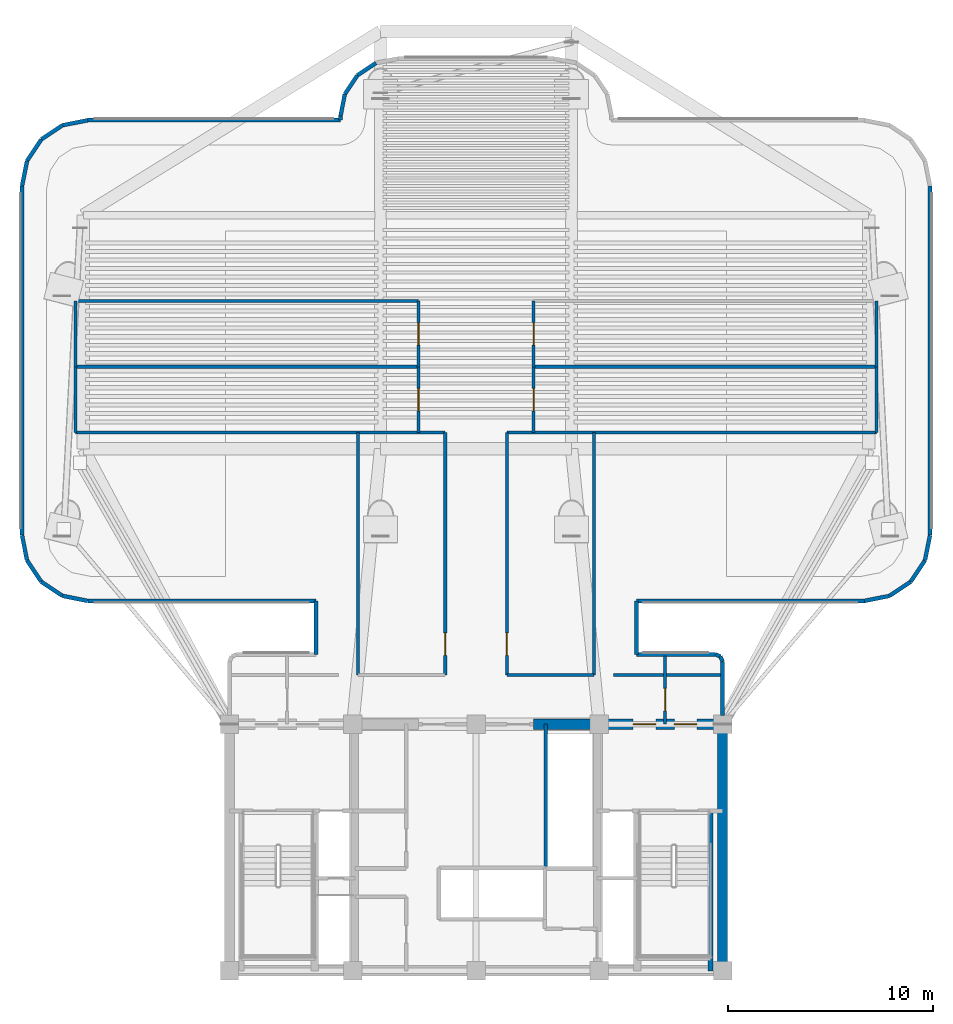
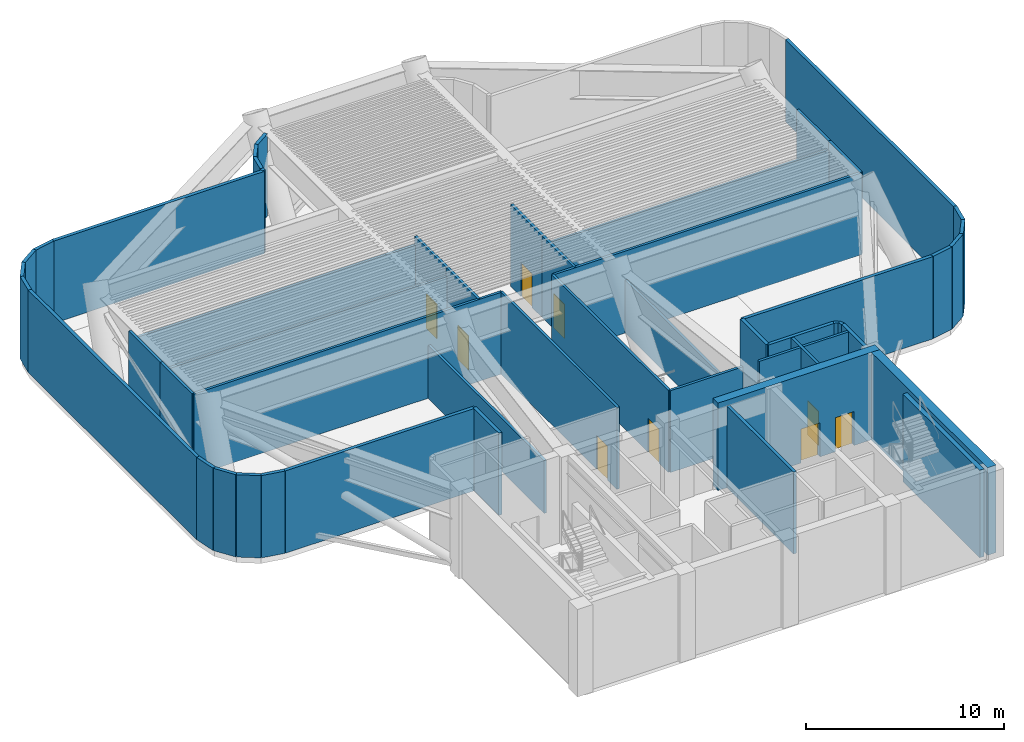
# One storey, part 5 of 10: 51 walls, 9 doors, 9 openings.
"""IFC4 building model written with IfcOpenShell, lengths in metres."""

from ifc_helpers import new_model, si_unit, direction, frame, frame_2d, origin, origin_2d, place, context, subcontext, project, spatial, rectangle, extrude, source, transform, mapped, material, layer, layer_set, type_object, element, fill, save


model = new_model("IFC4")

# Units and contexts
model_context = context("Model", 3, precision=1e-05, world=origin(), true_north=direction((0.0, 1.0)))
body_context = subcontext(model_context, "Body", "Model", "MODEL_VIEW")
ifc_project = project(units=[si_unit("LENGTHUNIT", "METRE"), si_unit("AREAUNIT", "SQUARE_METRE"), si_unit("VOLUMEUNIT", "CUBIC_METRE"), si_unit("PLANEANGLEUNIT", "RADIAN"), si_unit("MASSUNIT", "GRAM", prefix="KILO")], contexts=[model_context])

# Site, building, storey
site_placement = place(None, origin())
site = spatial("IfcSite", under=ifc_project, at=site_placement, CompositionType="ELEMENT")
building_placement = place(site_placement, origin())
building = spatial("IfcBuilding", under=site, at=building_placement, Name="Brelvock Crest Care Tower", CompositionType="ELEMENT")
storey_placement = place(building_placement, frame((0.0, 0.0, 146.52001953125)))
storey = spatial("IfcBuildingStorey", under=building, at=storey_placement, Name="L37", CompositionType="ELEMENT", Elevation=146.52001953125)

# Wall
ifc_material_1 = material(Name="Concrete S80 (80 MPa)", Category="concrete")
ifc_layer_1 = layer(ifc_material_1, 0.5, Name="WL-CS2")
ifc_layer_set_1 = layer_set([ifc_layer_1], Name="Concrete S80 (80 MPa)")
wall_type_1 = type_object("IfcWallType", Name="WL-CS2", PredefinedType="SHEAR", material=ifc_layer_set_1)
wall_1_placement = place(storey_placement, frame((48.0, 18.0, 0.0), z_axis=(0.0, 0.0, 1.0), x_axis=(0.0, -1.0, 0.0)))
element("IfcWall", 1, at=wall_1_placement, inside=storey, type_object=wall_type_1, Name="L37 Core East Shear Wall", PredefinedType="SHEAR", context=body_context, shape_type="SweptSolid", body=[
    extrude(rectangle(XDim=12.0, YDim=0.5, at=frame_2d((6.0, 0.0))), origin(), (0.0, 0.0, 1.0), 5.39990234375),
])

# Wall, openings, doors
wall_2_placement = place(storey_placement, frame((38.800048828125, 18.0, 0.0), z_axis=(0.0, 0.0, 1.0), x_axis=(1.0, 0.0, 0.0)))
wall_2 = element("IfcWall", 2, at=wall_2_placement, inside=storey, type_object=wall_type_1, Name="L37 Core North-East Shear Wall", PredefinedType="SHEAR", context=body_context, shape_type="SweptSolid", body=[
    extrude(rectangle(XDim=9.449951171875, YDim=0.5, at=frame_2d((4.72509765625, 0.0))), origin(), (0.0, 0.0, 1.0), 5.39990234375),
])
opening_1_placement = place(wall_2_placement, frame((4.85009765625, 0.0, 0.0)))
opening_1 = element("IfcOpeningElement", 3, at=opening_1_placement, cuts=wall_2, Name="Opening FD-1", PredefinedType="OPENING", context=body_context, shape_type="SweptSolid", body=[
    extrude(rectangle(XDim=1.10009765625, YDim=2.10009765625, at=origin_2d()), frame((0.550048828125, 0.260009765625, 1.050048828125), z_axis=(0.0, -1.0, 0.0), x_axis=(1.0, 0.0, 0.0)), (0.0, 0.0, 1.0), 0.52001953125),
])
opening_2_placement = place(wall_2_placement, frame((6.85009765625, 0.0, 0.0)))
opening_2 = element("IfcOpeningElement", 4, at=opening_2_placement, cuts=wall_2, Name="Opening FD-1", PredefinedType="OPENING", context=body_context, shape_type="SweptSolid", body=[
    extrude(rectangle(XDim=1.10009765625, YDim=2.10009765625, at=origin_2d()), frame((0.550048828125, 0.260009765625, 1.050048828125), z_axis=(0.0, -1.0, 0.0), x_axis=(1.0, 0.0, 0.0)), (0.0, 0.0, 1.0), 0.52001953125),
])
ifc_material_2 = material(Name="Steel Grade 350", Category="steel")
door_type_1 = type_object("IfcDoorType", Name="DR-FFL1", OperationType="NOTDEFINED", PredefinedType="DOOR", material=ifc_material_2)
shared_shape_1 = source(origin(), body_context, "Body", "SweptSolid", [
    extrude(rectangle(XDim=1.10009765625, YDim=2.10009765625, at=origin_2d()), frame((0.550048828125, 0.02490234375, 1.050048828125), z_axis=(0.0, -1.0, 0.0), x_axis=(1.0, 0.0, 0.0)), (0.0, 0.0, 1.0), 0.050048828125),
])
door_1_placement = place(opening_1_placement, origin())
door_1 = element("IfcDoor", 5, at=door_1_placement, inside=storey, type_object=door_type_1, Name="L37 Firefighting Lobby FFL-2 Corridor Exit Door", OperationType="SINGLE_SWING_LEFT", OverallHeight=2.10009765625, OverallWidth=1.10009765625, PredefinedType="DOOR", context=body_context, shape_type="MappedRepresentation", body=[
    mapped(shared_shape_1, transform((0.0, 0.0, 0.0), x_axis=(1.0, 0.0, 0.0), y_axis=(0.0, 1.0, 0.0), z_axis=(0.0, 0.0, 1.0), scale=1.0)),
])
fill(opening_1, door_1)
door_2_placement = place(opening_2_placement, origin())
door_2 = element("IfcDoor", 6, at=door_2_placement, inside=storey, type_object=door_type_1, Name="L37 Firefighting Lobby FFL-2 Refuge Door", OperationType="SINGLE_SWING_RIGHT", OverallHeight=2.10009765625, OverallWidth=1.10009765625, PredefinedType="DOOR", context=body_context, shape_type="MappedRepresentation", body=[
    mapped(shared_shape_1, transform((0.0, 0.0, 0.0), x_axis=(1.0, 0.0, 0.0), y_axis=(0.0, 1.0, 0.0), z_axis=(0.0, 0.0, 1.0), scale=1.0)),
])
fill(opening_2, door_2)

# Walls
ifc_layer_2 = layer(ifc_material_1, 0.25, Name="WL-CS6")
ifc_layer_set_2 = layer_set([ifc_layer_2], Name="Concrete S80 (80 MPa)")
wall_type_2 = type_object("IfcWallType", Name="WL-CS6", PredefinedType="SHEAR", material=ifc_layer_set_2)
wall_3_placement = place(storey_placement, frame((47.419921875, 6.0, 0.0), z_axis=(0.0, 0.0, 1.0), x_axis=(0.0, 1.0, 0.0)))
element("IfcWall", 7, at=wall_3_placement, inside=storey, type_object=wall_type_2, Name="L37 Core Stair ST-2 East Shear Wall", PredefinedType="SHEAR", context=body_context, shape_type="SweptSolid", body=[
    extrude(rectangle(XDim=7.780029296875, YDim=0.25, at=frame_2d((3.89013671875, 0.0))), origin(), (0.0, 0.0, 1.0), 5.39990234375),
])
ifc_material_3 = material(Name="Precast concrete N40 (40 MPa)", Category="concrete")
ifc_layer_3 = layer(ifc_material_3, 0.195068359375, Name="WL-EX3")
ifc_layer_set_3 = layer_set([ifc_layer_3], Name="Precast concrete N40 (40 MPa)")
wall_type_3 = type_object("IfcWallType", Name="WL-EX3", PredefinedType="SOLIDWALL", material=ifc_layer_set_3)
wall_4_placement = place(storey_placement, frame((47.8974609375, 21.297607421875, 0.0), z_axis=(0.0, 0.0, 1.0), x_axis=(0.382673670509, -0.923883575944, 0.0)))
element("IfcWall", 8, at=wall_4_placement, inside=storey, type_object=wall_type_3, Name="L37 Crown and Plant Cladding Wall 00", PredefinedType="SOLIDWALL", context=body_context, shape_type="SweptSolid", body=[
    extrude(rectangle(XDim=0.26806640625, YDim=0.195068359375, at=frame_2d((0.134033203125, 0.0))), origin(), (0.0, 0.0, 1.0), 5.080078125),
])
wall_5_placement = place(storey_placement, frame((48.0, 21.050048828125, 0.0), z_axis=(0.0, 0.0, 1.0), x_axis=(0.0, -1.0, 0.0)))
element("IfcWall", 9, at=wall_5_placement, inside=storey, type_object=wall_type_3, Name="L37 Crown and Plant Cladding Wall 01", PredefinedType="SOLIDWALL", context=body_context, shape_type="SweptSolid", body=[
    extrude(rectangle(XDim=2.6201171875, YDim=0.195068359375, at=frame_2d((1.31005859375, 0.0))), origin(), (0.0, 0.0, 1.0), 5.080078125),
])
wall_6_placement = place(storey_placement, frame((28.199951171875, 21.39990234375, 0.0), z_axis=(0.0, 0.0, 1.0), x_axis=(0.0, 1.0, 0.0)))
element("IfcWall", 10, at=wall_6_placement, inside=storey, type_object=wall_type_3, Name="L37 Crown and Plant Cladding Wall 11", PredefinedType="SOLIDWALL", context=body_context, shape_type="SweptSolid", body=[
    extrude(rectangle(XDim=2.60009765625, YDim=0.195068359375, at=frame_2d((1.300048828125, 0.0))), origin(), (0.0, 0.0, 1.0), 5.080078125),
])
wall_7_placement = place(storey_placement, frame((28.199951171875, 24.0, 0.0), z_axis=(0.0, 0.0, 1.0), x_axis=(-1.0, 0.0, 0.0)))
element("IfcWall", 11, at=wall_7_placement, inside=storey, type_object=wall_type_3, Name="L37 Crown and Plant Cladding Wall 12", PredefinedType="SOLIDWALL", context=body_context, shape_type="SweptSolid", body=[
    extrude(rectangle(XDim=11.099853515625, YDim=0.195068359375, at=frame_2d((5.5498046875, 0.0))), origin(), (0.0, 0.0, 1.0), 5.080078125),
])
for number, where, z_axis, x_axis, name in (
    (12, (17.10009765625, 24.0, 0.0), (0.0, 0.0, 1.0), (-0.980775717779, 0.195138390419, 0.0), "L37 Crown and Plant Cladding Wall 13"),
    (13, (15.87548828125, 24.24365234375, 0.0), (0.0, 0.0, 1.0), (-0.831478245117, 0.555557312883, 0.0), "L37 Crown and Plant Cladding Wall 14"),
    (14, (14.83740234375, 24.937255859375, 0.0), (0.0, 0.0, 1.0), (-0.555692485475, 0.831387912822, 0.0), "L37 Crown and Plant Cladding Wall 15"),
    (15, (14.1435546875, 25.975341796875, 0.0), (0.0, 0.0, 1.0), (-0.195138390419, 0.980775717779, 0.0), "L37 Crown and Plant Cladding Wall 16"),
):
    element("IfcWall", number, at=place(storey_placement, frame(where, z_axis=z_axis, x_axis=x_axis)), inside=storey, type_object=wall_type_3, Name=name, PredefinedType="SOLIDWALL", context=body_context, shape_type="SweptSolid", body=[
        extrude(rectangle(XDim=1.24853515625, YDim=0.195068359375, at=frame_2d((0.624267578125, 0.0))), origin(), (0.0, 0.0, 1.0), 5.080078125),
    ])
wall_8_placement = place(storey_placement, frame((13.89990234375, 27.199951171875, 0.0), z_axis=(0.0, 0.0, 1.0), x_axis=(0.0, 1.0, 0.0)))
element("IfcWall", 16, at=wall_8_placement, inside=storey, type_object=wall_type_3, Name="L37 Crown and Plant Cladding Wall 17", PredefinedType="SOLIDWALL", context=body_context, shape_type="SweptSolid", body=[
    extrude(rectangle(XDim=17.0, YDim=0.195068359375, at=frame_2d((8.5, 0.0))), origin(), (0.0, 0.0, 1.0), 5.080078125),
])
for number, where, z_axis, x_axis, name in (
    (17, (13.89990234375, 44.199951171875, 0.0), (0.0, 0.0, 1.0), (0.195138390419, 0.980775717779, 0.0), "L37 Crown and Plant Cladding Wall 18"),
    (18, (14.1435546875, 45.424560546875, 0.0), (0.0, 0.0, 1.0), (0.555692485475, 0.831387912822, 0.0), "L37 Crown and Plant Cladding Wall 19"),
    (19, (14.83740234375, 46.462646484375, 0.0), (0.0, 0.0, 1.0), (0.831387912822, 0.555692485475, 0.0), "L37 Crown and Plant Cladding Wall 20"),
    (20, (15.87548828125, 47.156494140625, 0.0), (0.0, 0.0, 1.0), (0.980813122964, 0.194950295773, 0.0), "L37 Crown and Plant Cladding Wall 21"),
):
    element("IfcWall", number, at=place(storey_placement, frame(where, z_axis=z_axis, x_axis=x_axis)), inside=storey, type_object=wall_type_3, Name=name, PredefinedType="SOLIDWALL", context=body_context, shape_type="SweptSolid", body=[
        extrude(rectangle(XDim=1.24853515625, YDim=0.195068359375, at=frame_2d((0.624267578125, 0.0))), origin(), (0.0, 0.0, 1.0), 5.080078125),
    ])
wall_9_placement = place(storey_placement, frame((17.10009765625, 47.39990234375, 0.0), z_axis=(0.0, 0.0, 1.0), x_axis=(1.0, 0.0, 0.0)))
element("IfcWall", 21, at=wall_9_placement, inside=storey, type_object=wall_type_3, Name="L37 Crown and Plant Cladding Wall 22", PredefinedType="SOLIDWALL", context=body_context, shape_type="SweptSolid", body=[
    extrude(rectangle(XDim=12.2998046875, YDim=0.195068359375, at=frame_2d((6.14990234375, 0.0))), origin(), (0.0, 0.0, 1.0), 5.080078125),
])
wall_10_placement = place(storey_placement, frame((29.39990234375, 47.39990234375, 0.0), z_axis=(0.0, 0.0, 1.0), x_axis=(0.0, 1.0, 0.0)))
element("IfcWall", 22, at=wall_10_placement, inside=storey, type_object=wall_type_3, Name="L37 Crown and Plant Cladding Wall 23", PredefinedType="SOLIDWALL", context=body_context, shape_type="SweptSolid", body=[
    extrude(rectangle(XDim=0.2001953125, YDim=0.195068359375, at=frame_2d((0.10009765625, 0.0))), origin(), (0.0, 0.0, 1.0), 5.080078125),
])
wall_11_placement = place(storey_placement, frame((29.39990234375, 47.60009765625, 0.0), z_axis=(0.0, 0.0, 1.0), x_axis=(0.195127417394, 0.980777900945, 0.0)))
element("IfcWall", 23, at=wall_11_placement, inside=storey, type_object=wall_type_3, Name="L37 Crown and Plant Cladding Wall 24", PredefinedType="SOLIDWALL", context=body_context, shape_type="SweptSolid", body=[
    extrude(rectangle(XDim=1.09228515625, YDim=0.195068359375, at=frame_2d((0.546142578125, 0.0))), origin(), (0.0, 0.0, 1.0), 5.080078125),
])
wall_12_placement = place(storey_placement, frame((29.613037109375, 48.67138671875, 0.0), z_axis=(0.0, 0.0, 1.0), x_axis=(0.555679482341, 0.831396603857, 0.0)))
element("IfcWall", 24, at=wall_12_placement, inside=storey, type_object=wall_type_3, Name="L37 Crown and Plant Cladding Wall 25", PredefinedType="SOLIDWALL", context=body_context, shape_type="SweptSolid", body=[
    extrude(rectangle(XDim=1.0927734375, YDim=0.195068359375, at=frame_2d((0.54638671875, 0.0))), origin(), (0.0, 0.0, 1.0), 5.080078125),
])
wall_13_placement = place(storey_placement, frame((30.22021484375, 49.579833984375, 0.0), z_axis=(0.0, 0.0, 1.0), x_axis=(0.831327592857, 0.555782721353, 0.0)))
element("IfcWall", 25, at=wall_13_placement, inside=storey, type_object=wall_type_3, Name="L37 Crown and Plant Cladding Wall 26", PredefinedType="SOLIDWALL", context=body_context, shape_type="SweptSolid", body=[
    extrude(rectangle(XDim=1.092529296875, YDim=0.195068359375, at=frame_2d((0.54638671875, 0.0))), origin(), (0.0, 0.0, 1.0), 5.080078125),
])
wall_14_placement = place(storey_placement, frame((58.10009765625, 44.199951171875, 0.0), z_axis=(0.0, 0.0, 1.0), x_axis=(0.0, -1.0, 0.0)))
element("IfcWall", 26, at=wall_14_placement, inside=storey, type_object=wall_type_3, Name="L37 Crown and Plant Cladding Wall 39", PredefinedType="SOLIDWALL", context=body_context, shape_type="SweptSolid", body=[
    extrude(rectangle(XDim=17.0, YDim=0.195068359375, at=frame_2d((8.5, 0.0))), origin(), (0.0, 0.0, 1.0), 5.080078125),
])
for number, where, z_axis, x_axis, name in (
    (27, (58.10009765625, 27.199951171875, 0.0), (0.0, 0.0, 1.0), (-0.195138390419, -0.980775717779, 0.0), "L37 Crown and Plant Cladding Wall 40"),
    (28, (57.8564453125, 25.975341796875, 0.0), (0.0, 0.0, 1.0), (-0.555692485475, -0.831387912822, 0.0), "L37 Crown and Plant Cladding Wall 41"),
    (29, (57.16259765625, 24.937255859375, 0.0), (0.0, 0.0, 1.0), (-0.831478245117, -0.555557312883, 0.0), "L37 Crown and Plant Cladding Wall 42"),
    (30, (56.12451171875, 24.24365234375, 0.0), (0.0, 0.0, 1.0), (-0.980775717779, -0.195138390419, 0.0), "L37 Crown and Plant Cladding Wall 43"),
):
    element("IfcWall", number, at=place(storey_placement, frame(where, z_axis=z_axis, x_axis=x_axis)), inside=storey, type_object=wall_type_3, Name=name, PredefinedType="SOLIDWALL", context=body_context, shape_type="SweptSolid", body=[
        extrude(rectangle(XDim=1.24853515625, YDim=0.195068359375, at=frame_2d((0.624267578125, 0.0))), origin(), (0.0, 0.0, 1.0), 5.080078125),
    ])
wall_15_placement = place(storey_placement, frame((54.89990234375, 24.0, 0.0), z_axis=(0.0, 0.0, 1.0), x_axis=(-1.0, 0.0, 0.0)))
element("IfcWall", 31, at=wall_15_placement, inside=storey, type_object=wall_type_3, Name="L37 Crown and Plant Cladding Wall 44", PredefinedType="SOLIDWALL", context=body_context, shape_type="SweptSolid", body=[
    extrude(rectangle(XDim=11.099853515625, YDim=0.195068359375, at=frame_2d((5.5498046875, 0.0))), origin(), (0.0, 0.0, 1.0), 5.080078125),
])
wall_16_placement = place(storey_placement, frame((43.800048828125, 24.0, 0.0), z_axis=(0.0, 0.0, 1.0), x_axis=(0.0, -1.0, 0.0)))
element("IfcWall", 32, at=wall_16_placement, inside=storey, type_object=wall_type_3, Name="L37 Crown and Plant Cladding Wall 45", PredefinedType="SOLIDWALL", context=body_context, shape_type="SweptSolid", body=[
    extrude(rectangle(XDim=2.60009765625, YDim=0.195068359375, at=frame_2d((1.300048828125, 0.0))), origin(), (0.0, 0.0, 1.0), 5.080078125),
])
wall_17_placement = place(storey_placement, frame((43.800048828125, 21.39990234375, 0.0), z_axis=(0.0, 0.0, 1.0), x_axis=(1.0, 0.0, 0.0)))
element("IfcWall", 33, at=wall_17_placement, inside=storey, type_object=wall_type_3, Name="L37 Crown and Plant Cladding Wall 46", PredefinedType="SOLIDWALL", context=body_context, shape_type="SweptSolid", body=[
    extrude(rectangle(XDim=3.849853515625, YDim=0.195068359375, at=frame_2d((1.9248046875, 0.0))), origin(), (0.0, 0.0, 1.0), 5.080078125),
])
wall_18_placement = place(storey_placement, frame((47.64990234375, 21.39990234375, 0.0), z_axis=(0.0, 0.0, 1.0), x_axis=(0.924205486139, -0.381895560841, 0.0)))
element("IfcWall", 34, at=wall_18_placement, inside=storey, type_object=wall_type_3, Name="L37 Crown and Plant Cladding Wall 47", PredefinedType="SOLIDWALL", context=body_context, shape_type="SweptSolid", body=[
    extrude(rectangle(XDim=0.267822265625, YDim=0.195068359375, at=frame_2d((0.1337890625, 0.0))), origin(), (0.0, 0.0, 1.0), 5.080078125),
])
ifc_material_4 = material(Name="Masonry Blockwork Acoustic Partition", Category="masonry")
ifc_layer_4 = layer(ifc_material_4, 0.14990234375, Name="WL-INT1")
ifc_layer_set_4 = layer_set([ifc_layer_4], Name="Masonry Blockwork Acoustic Partition")
wall_type_4 = type_object("IfcWallType", Name="WL-INT1", PredefinedType="PARTITIONING", material=ifc_layer_set_4)
wall_19_placement = place(storey_placement, frame((37.5, 20.39990234375, 0.0), z_axis=(0.0, 0.0, 1.0), x_axis=(1.0, 0.0, 0.0)))
element("IfcWall", 35, at=wall_19_placement, inside=storey, type_object=wall_type_4, Name="L37 Interior Wall WL-BX-L37-REFNE-S", PredefinedType="PARTITIONING", context=body_context, shape_type="SweptSolid", body=[
    extrude(rectangle(XDim=4.25, YDim=0.14990234375, at=frame_2d((2.125, 0.0))), origin(), (0.0, 0.0, 1.0), 5.050048828125),
])
wall_20_placement = place(storey_placement, frame((42.699951171875, 20.39990234375, 0.0), z_axis=(0.0, 0.0, 1.0), x_axis=(1.0, 0.0, 0.0)))
element("IfcWall", 36, at=wall_20_placement, inside=storey, type_object=wall_type_4, Name="L37 Interior Wall WL-BX-L37-REFE-N", PredefinedType="PARTITIONING", context=body_context, shape_type="SweptSolid", body=[
    extrude(rectangle(XDim=5.219970703125, YDim=0.14990234375, at=frame_2d((2.60986328125, 0.0))), origin(), (0.0, 0.0, 1.0), 5.050048828125),
])
for number, where, z_axis, x_axis, name in (
    (37, (16.5, 32.199951171875, 0.0), (0.0, 0.0, 1.0), (1.0, 0.0, 0.0), "L37 Interior Wall WL-BX-L37-AHUW-S"),
    (38, (37.5, 32.199951171875, 0.0), (0.0, 0.0, 1.0), (1.0, 0.0, 0.0), "L37 Interior Wall WL-BX-L37-REFNE-N"),
):
    element("IfcWall", number, at=place(storey_placement, frame(where, z_axis=z_axis, x_axis=x_axis)), inside=storey, type_object=wall_type_4, Name=name, PredefinedType="PARTITIONING", context=body_context, shape_type="SweptSolid", body=[
        extrude(rectangle(XDim=18.0, YDim=0.14990234375, at=frame_2d((9.0, 0.0))), origin(), (0.0, 0.0, 1.0), 5.050048828125),
    ])
for number, where, z_axis, x_axis, name in (
    (39, (16.5, 35.39990234375, 0.0), (0.0, 0.0, 1.0), (1.0, 0.0, 0.0), "L37 Interior Wall WL-BX-L37-AHUW-N"),
    (40, (38.800048828125, 35.39990234375, 0.0), (0.0, 0.0, 1.0), (1.0, 0.0, 0.0), "L37 Interior Wall WL-BX-L37-CHLE-N"),
    (41, (16.5, 38.60009765625, 0.0), (0.0, 0.0, 1.0), (1.0, 0.0, 0.0), "L37 Interior Wall WL-BX-L37-PMPW-N"),
):
    element("IfcWall", number, at=place(storey_placement, frame(where, z_axis=z_axis, x_axis=x_axis)), inside=storey, type_object=wall_type_4, Name=name, PredefinedType="PARTITIONING", context=body_context, shape_type="SweptSolid", body=[
        extrude(rectangle(XDim=16.699951171875, YDim=0.14990234375, at=frame_2d((8.35009765625, 0.0))), origin(), (0.0, 0.0, 1.0), 4.531982421875),
    ])
wall_21_placement = place(storey_placement, frame((16.5, 32.199951171875, 0.0), z_axis=(0.0, 0.0, 1.0), x_axis=(0.0, 1.0, 0.0)))
element("IfcWall", 42, at=wall_21_placement, inside=storey, type_object=wall_type_4, Name="L37 Interior Wall WL-BX-L37-AHUW-W", PredefinedType="PARTITIONING", context=body_context, shape_type="SweptSolid", body=[
    extrude(rectangle(XDim=3.199951171875, YDim=0.14990234375, at=frame_2d((1.60009765625, 0.0))), origin(), (0.0, 0.0, 1.0), 5.050048828125),
])
wall_22_placement = place(storey_placement, frame((16.5, 35.39990234375, 0.0), z_axis=(0.0, 0.0, 1.0), x_axis=(0.0, 1.0, 0.0)))
element("IfcWall", 43, at=wall_22_placement, inside=storey, type_object=wall_type_4, Name="L37 Interior Wall WL-BX-L37-PMPW-W", PredefinedType="PARTITIONING", context=body_context, shape_type="SweptSolid", body=[
    extrude(rectangle(XDim=3.2001953125, YDim=0.14990234375, at=frame_2d((1.60009765625, 0.0))), origin(), (0.0, 0.0, 1.0), 5.050048828125),
])
wall_23_placement = place(storey_placement, frame((30.25, 20.39990234375, 0.0), z_axis=(0.0, 0.0, 1.0), x_axis=(0.0, 1.0, 0.0)))
element("IfcWall", 44, at=wall_23_placement, inside=storey, type_object=wall_type_4, Name="L37 Interior Wall WL-BX-L37-REFNW-W", PredefinedType="PARTITIONING", context=body_context, shape_type="SweptSolid", body=[
    extrude(rectangle(XDim=11.800048828125, YDim=0.14990234375, at=frame_2d((5.89990234375, 0.0))), origin(), (0.0, 0.0, 1.0), 3.264892578125),
])

# Wall, opening, door
wall_24_placement = place(storey_placement, frame((33.199951171875, 32.199951171875, 0.0), z_axis=(0.0, 0.0, 1.0), x_axis=(0.0, 1.0, 0.0)))
wall_24 = element("IfcWall", 45, at=wall_24_placement, inside=storey, type_object=wall_type_4, Name="L37 Interior Wall WL-RM-L37-AHUW", PredefinedType="PARTITIONING", context=body_context, shape_type="SweptSolid", body=[
    extrude(rectangle(XDim=3.199951171875, YDim=0.14990234375, at=frame_2d((1.60009765625, 0.0))), origin(), (0.0, 0.0, 1.0), 5.050048828125),
])
opening_3_placement = place(wall_24_placement, frame((1.050048828125, 0.0, 0.0)))
opening_3 = element("IfcOpeningElement", 46, at=opening_3_placement, cuts=wall_24, Name="Opening PD-1", PredefinedType="OPENING", context=body_context, shape_type="SweptSolid", body=[
    extrude(rectangle(XDim=1.10009765625, YDim=2.10009765625, at=origin_2d()), frame((0.550048828125, 0.0849609375, 1.050048828125), z_axis=(0.0, -1.0, 0.0), x_axis=(1.0, 0.0, 0.0)), (0.0, 0.0, 1.0), 0.169921875),
])
door_type_2 = type_object("IfcDoorType", Name="DR-PLT1", OperationType="NOTDEFINED", PredefinedType="DOOR", material=ifc_material_2)
shared_shape_2 = source(origin(), body_context, "Body", "SweptSolid", [
    extrude(rectangle(XDim=1.10009765625, YDim=2.10009765625, at=origin_2d()), frame((0.550048828125, 0.02490234375, 1.050048828125), z_axis=(0.0, -1.0, 0.0), x_axis=(1.0, 0.0, 0.0)), (0.0, 0.0, 1.0), 0.050048828125),
])
door_3_placement = place(opening_3_placement, origin())
door_3 = element("IfcDoor", 47, at=door_3_placement, inside=storey, type_object=door_type_2, Name="L37 Zone Air Handling Mechanical Plant Door AHUW", OperationType="SINGLE_SWING_LEFT", OverallHeight=2.10009765625, OverallWidth=1.10009765625, PredefinedType="DOOR", context=body_context, shape_type="MappedRepresentation", body=[
    mapped(shared_shape_2, transform((0.0, 0.0, 0.0), x_axis=(1.0, 0.0, 0.0), y_axis=(0.0, 1.0, 0.0), z_axis=(0.0, 0.0, 1.0), scale=1.0)),
])
fill(opening_3, door_3)

wall_25_placement = place(storey_placement, frame((33.199951171875, 35.39990234375, 0.0), z_axis=(0.0, 0.0, 1.0), x_axis=(0.0, 1.0, 0.0)))
wall_25 = element("IfcWall", 48, at=wall_25_placement, inside=storey, type_object=wall_type_4, Name="L37 Interior Wall WL-RM-L37-PMPW", PredefinedType="PARTITIONING", context=body_context, shape_type="SweptSolid", body=[
    extrude(rectangle(XDim=3.2001953125, YDim=0.14990234375, at=frame_2d((1.60009765625, 0.0))), origin(), (0.0, 0.0, 1.0), 5.050048828125),
])
opening_4_placement = place(wall_25_placement, frame((1.050048828125, 0.0, 0.0)))
opening_4 = element("IfcOpeningElement", 49, at=opening_4_placement, cuts=wall_25, Name="Opening PD-1", PredefinedType="OPENING", context=body_context, shape_type="SweptSolid", body=[
    extrude(rectangle(XDim=1.10009765625, YDim=2.10009765625, at=origin_2d()), frame((0.550048828125, 0.0849609375, 1.050048828125), z_axis=(0.0, -1.0, 0.0), x_axis=(1.0, 0.0, 0.0)), (0.0, 0.0, 1.0), 0.169921875),
])
door_4_placement = place(opening_4_placement, origin())
door_4 = element("IfcDoor", 50, at=door_4_placement, inside=storey, type_object=door_type_2, Name="L37 Domestic Booster Pump Plant Room Door PMPW", OperationType="SINGLE_SWING_LEFT", OverallHeight=2.10009765625, OverallWidth=1.10009765625, PredefinedType="DOOR", context=body_context, shape_type="MappedRepresentation", body=[
    mapped(shared_shape_2, transform((0.0, 0.0, 0.0), x_axis=(1.0, 0.0, 0.0), y_axis=(0.0, 1.0, 0.0), z_axis=(0.0, 0.0, 1.0), scale=1.0)),
])
fill(opening_4, door_4)

wall_26_placement = place(storey_placement, frame((34.5, 20.39990234375, 0.0), z_axis=(0.0, 0.0, 1.0), x_axis=(0.0, 1.0, 0.0)))
wall_26 = element("IfcWall", 51, at=wall_26_placement, inside=storey, type_object=wall_type_4, Name="L37 Interior Wall WL-RM-L37-REFNW", PredefinedType="PARTITIONING", context=body_context, shape_type="SweptSolid", body=[
    extrude(rectangle(XDim=11.800048828125, YDim=0.14990234375, at=frame_2d((5.89990234375, 0.0))), origin(), (0.0, 0.0, 1.0), 5.050048828125),
])
opening_5_placement = place(wall_26_placement, frame((0.949951171875, 0.0, 0.0)))
opening_5 = element("IfcOpeningElement", 52, at=opening_5_placement, cuts=wall_26, Name="Opening PD-1", PredefinedType="OPENING", context=body_context, shape_type="SweptSolid", body=[
    extrude(rectangle(XDim=1.10009765625, YDim=2.10009765625, at=origin_2d()), frame((0.550048828125, 0.0849609375, 1.050048828125), z_axis=(0.0, -1.0, 0.0), x_axis=(1.0, 0.0, 0.0)), (0.0, 0.0, 1.0), 0.169921875),
])
door_5_placement = place(opening_5_placement, origin())
door_5 = element("IfcDoor", 53, at=door_5_placement, inside=storey, type_object=door_type_2, Name="L37 Protected Fire Refuge Holding Area North-West REFNW Door REFNW", OperationType="SINGLE_SWING_LEFT", OverallHeight=2.10009765625, OverallWidth=1.10009765625, PredefinedType="DOOR", context=body_context, shape_type="MappedRepresentation", body=[
    mapped(shared_shape_2, transform((0.0, 0.0, 0.0), x_axis=(1.0, 0.0, 0.0), y_axis=(0.0, 1.0, 0.0), z_axis=(0.0, 0.0, 1.0), scale=1.0)),
])
fill(opening_5, door_5)

wall_27_placement = place(storey_placement, frame((37.5, 20.39990234375, 0.0), z_axis=(0.0, 0.0, 1.0), x_axis=(0.0, 1.0, 0.0)))
wall_27 = element("IfcWall", 54, at=wall_27_placement, inside=storey, type_object=wall_type_4, Name="L37 Interior Wall WL-RM-L37-REFNE", PredefinedType="PARTITIONING", context=body_context, shape_type="SweptSolid", body=[
    extrude(rectangle(XDim=11.800048828125, YDim=0.14990234375, at=frame_2d((5.89990234375, 0.0))), origin(), (0.0, 0.0, 1.0), 5.050048828125),
])
opening_6_placement = place(wall_27_placement, frame((0.949951171875, 0.0, 0.0)))
opening_6 = element("IfcOpeningElement", 55, at=opening_6_placement, cuts=wall_27, Name="Opening PD-1", PredefinedType="OPENING", context=body_context, shape_type="SweptSolid", body=[
    extrude(rectangle(XDim=1.10009765625, YDim=2.10009765625, at=origin_2d()), frame((0.550048828125, 0.0849609375, 1.050048828125), z_axis=(0.0, -1.0, 0.0), x_axis=(1.0, 0.0, 0.0)), (0.0, 0.0, 1.0), 0.169921875),
])
door_6_placement = place(opening_6_placement, origin())
door_6 = element("IfcDoor", 56, at=door_6_placement, inside=storey, type_object=door_type_2, Name="L37 Protected Fire Refuge Holding Area North-East REFNE Door REFNE", OperationType="SINGLE_SWING_LEFT", OverallHeight=2.10009765625, OverallWidth=1.10009765625, PredefinedType="DOOR", context=body_context, shape_type="MappedRepresentation", body=[
    mapped(shared_shape_2, transform((0.0, 0.0, 0.0), x_axis=(1.0, 0.0, 0.0), y_axis=(0.0, 1.0, 0.0), z_axis=(0.0, 0.0, 1.0), scale=1.0)),
])
fill(opening_6, door_6)

wall_28_placement = place(storey_placement, frame((38.800048828125, 32.199951171875, 0.0), z_axis=(0.0, 0.0, 1.0), x_axis=(0.0, 1.0, 0.0)))
wall_28 = element("IfcWall", 57, at=wall_28_placement, inside=storey, type_object=wall_type_4, Name="L37 Interior Wall WL-RM-L37-CHLE", PredefinedType="PARTITIONING", context=body_context, shape_type="SweptSolid", body=[
    extrude(rectangle(XDim=3.199951171875, YDim=0.14990234375, at=frame_2d((1.60009765625, 0.0))), origin(), (0.0, 0.0, 1.0), 5.050048828125),
])
opening_7_placement = place(wall_28_placement, frame((1.050048828125, 0.0, 0.0)))
opening_7 = element("IfcOpeningElement", 58, at=opening_7_placement, cuts=wall_28, Name="Opening PD-1", PredefinedType="OPENING", context=body_context, shape_type="SweptSolid", body=[
    extrude(rectangle(XDim=1.10009765625, YDim=2.10009765625, at=origin_2d()), frame((0.550048828125, 0.0849609375, 1.050048828125), z_axis=(0.0, -1.0, 0.0), x_axis=(1.0, 0.0, 0.0)), (0.0, 0.0, 1.0), 0.169921875),
])
door_7_placement = place(opening_7_placement, origin())
door_7 = element("IfcDoor", 59, at=door_7_placement, inside=storey, type_object=door_type_2, Name="L37 Chilled Water Heat-Exchanger Plant Door CHLE", OperationType="SINGLE_SWING_LEFT", OverallHeight=2.10009765625, OverallWidth=1.10009765625, PredefinedType="DOOR", context=body_context, shape_type="MappedRepresentation", body=[
    mapped(shared_shape_2, transform((0.0, 0.0, 0.0), x_axis=(1.0, 0.0, 0.0), y_axis=(0.0, 1.0, 0.0), z_axis=(0.0, 0.0, 1.0), scale=1.0)),
])
fill(opening_7, door_7)

wall_29_placement = place(storey_placement, frame((38.800048828125, 35.39990234375, 0.0), z_axis=(0.0, 0.0, 1.0), x_axis=(0.0, 1.0, 0.0)))
wall_29 = element("IfcWall", 60, at=wall_29_placement, inside=storey, type_object=wall_type_4, Name="L37 Interior Wall WL-RM-L37-SWGE", PredefinedType="PARTITIONING", context=body_context, shape_type="SweptSolid", body=[
    extrude(rectangle(XDim=3.2001953125, YDim=0.14990234375, at=frame_2d((1.60009765625, 0.0))), origin(), (0.0, 0.0, 1.0), 5.050048828125),
])
opening_8_placement = place(wall_29_placement, frame((1.050048828125, 0.0, 0.0)))
opening_8 = element("IfcOpeningElement", 61, at=opening_8_placement, cuts=wall_29, Name="Opening PD-1", PredefinedType="OPENING", context=body_context, shape_type="SweptSolid", body=[
    extrude(rectangle(XDim=1.10009765625, YDim=2.10009765625, at=origin_2d()), frame((0.550048828125, 0.0849609375, 1.050048828125), z_axis=(0.0, -1.0, 0.0), x_axis=(1.0, 0.0, 0.0)), (0.0, 0.0, 1.0), 0.169921875),
])
door_8_placement = place(opening_8_placement, origin())
door_8 = element("IfcDoor", 62, at=door_8_placement, inside=storey, type_object=door_type_2, Name="L37 HV Transformer Switchgear Plant Room Door SWGE", OperationType="SINGLE_SWING_LEFT", OverallHeight=2.10009765625, OverallWidth=1.10009765625, PredefinedType="DOOR", context=body_context, shape_type="MappedRepresentation", body=[
    mapped(shared_shape_2, transform((0.0, 0.0, 0.0), x_axis=(1.0, 0.0, 0.0), y_axis=(0.0, 1.0, 0.0), z_axis=(0.0, 0.0, 1.0), scale=1.0)),
])
fill(opening_8, door_8)

# Wall
wall_30_placement = place(storey_placement, frame((41.75, 20.39990234375, 0.0), z_axis=(0.0, 0.0, 1.0), x_axis=(0.0, 1.0, 0.0)))
element("IfcWall", 63, at=wall_30_placement, inside=storey, type_object=wall_type_4, Name="L37 Interior Wall WL-BX-L37-REFNE-E", PredefinedType="PARTITIONING", context=body_context, shape_type="SweptSolid", body=[
    extrude(rectangle(XDim=11.800048828125, YDim=0.14990234375, at=frame_2d((5.89990234375, 0.0))), origin(), (0.0, 0.0, 1.0), 3.264892578125),
])

# Wall, opening, door
wall_31_placement = place(storey_placement, frame((45.199951171875, 18.0, 0.0), z_axis=(0.0, 0.0, 1.0), x_axis=(0.0, 1.0, 0.0)))
wall_31 = element("IfcWall", 64, at=wall_31_placement, inside=storey, type_object=wall_type_4, Name="L37 Interior Wall WL-RM-L37-REFE", PredefinedType="PARTITIONING", context=body_context, shape_type="SweptSolid", body=[
    extrude(rectangle(XDim=3.320068359375, YDim=0.14990234375, at=frame_2d((1.66015625, 0.0))), origin(), (0.0, 0.0, 1.0), 5.050048828125),
])
opening_9_placement = place(wall_31_placement, frame((0.64990234375, 0.0, 0.0)))
opening_9 = element("IfcOpeningElement", 65, at=opening_9_placement, cuts=wall_31, Name="Opening PD-1", PredefinedType="OPENING", context=body_context, shape_type="SweptSolid", body=[
    extrude(rectangle(XDim=1.10009765625, YDim=2.10009765625, at=origin_2d()), frame((0.550048828125, 0.0849609375, 1.050048828125), z_axis=(0.0, -1.0, 0.0), x_axis=(1.0, 0.0, 0.0)), (0.0, 0.0, 1.0), 0.169921875),
])
door_9_placement = place(opening_9_placement, origin())
door_9 = element("IfcDoor", 66, at=door_9_placement, inside=storey, type_object=door_type_2, Name="L37 Protected Fire Refuge Area East REFE Door REFE", OperationType="SINGLE_SWING_LEFT", OverallHeight=2.10009765625, OverallWidth=1.10009765625, PredefinedType="DOOR", context=body_context, shape_type="MappedRepresentation", body=[
    mapped(shared_shape_2, transform((0.0, 0.0, 0.0), x_axis=(1.0, 0.0, 0.0), y_axis=(0.0, 1.0, 0.0), z_axis=(0.0, 0.0, 1.0), scale=1.0)),
])
fill(opening_9, door_9)

# Walls
wall_32_placement = place(storey_placement, frame((55.5, 32.199951171875, 0.0), z_axis=(0.0, 0.0, 1.0), x_axis=(0.0, 1.0, 0.0)))
element("IfcWall", 67, at=wall_32_placement, inside=storey, type_object=wall_type_4, Name="L37 Interior Wall WL-BX-L37-CHLE-E", PredefinedType="PARTITIONING", context=body_context, shape_type="SweptSolid", body=[
    extrude(rectangle(XDim=3.199951171875, YDim=0.14990234375, at=frame_2d((1.60009765625, 0.0))), origin(), (0.0, 0.0, 1.0), 5.050048828125),
])
wall_33_placement = place(storey_placement, frame((55.5, 35.39990234375, 0.0), z_axis=(0.0, 0.0, 1.0), x_axis=(0.0, 1.0, 0.0)))
element("IfcWall", 68, at=wall_33_placement, inside=storey, type_object=wall_type_4, Name="L37 Interior Wall WL-BX-L37-SWGE-E", PredefinedType="PARTITIONING", context=body_context, shape_type="SweptSolid", body=[
    extrude(rectangle(XDim=3.2001953125, YDim=0.14990234375, at=frame_2d((1.60009765625, 0.0))), origin(), (0.0, 0.0, 1.0), 5.050048828125),
])
ifc_layer_5 = layer(ifc_material_4, 0.179931640625, Name="WL-SHF1")
ifc_layer_set_5 = layer_set([ifc_layer_5], Name="Masonry Blockwork Acoustic Partition")
wall_type_5 = type_object("IfcWallType", Name="WL-SHF1", PredefinedType="PARTITIONING", material=ifc_layer_set_5)
wall_34_placement = place(storey_placement, frame((39.39990234375, 11.0, 0.0), z_axis=(0.0, 0.0, 1.0), x_axis=(0.0, 1.0, 0.0)))
element("IfcWall", 69, at=wall_34_placement, inside=storey, type_object=wall_type_5, Name="L37 Interior Wall WL-PLH-SHF-L37", PredefinedType="PARTITIONING", context=body_context, shape_type="SweptSolid", body=[
    extrude(rectangle(XDim=7.0, YDim=0.179931640625, at=frame_2d((3.5, 0.0))), origin(), (0.0, 0.0, 1.0), 5.050048828125),
])

save(model, "model.ifc")
